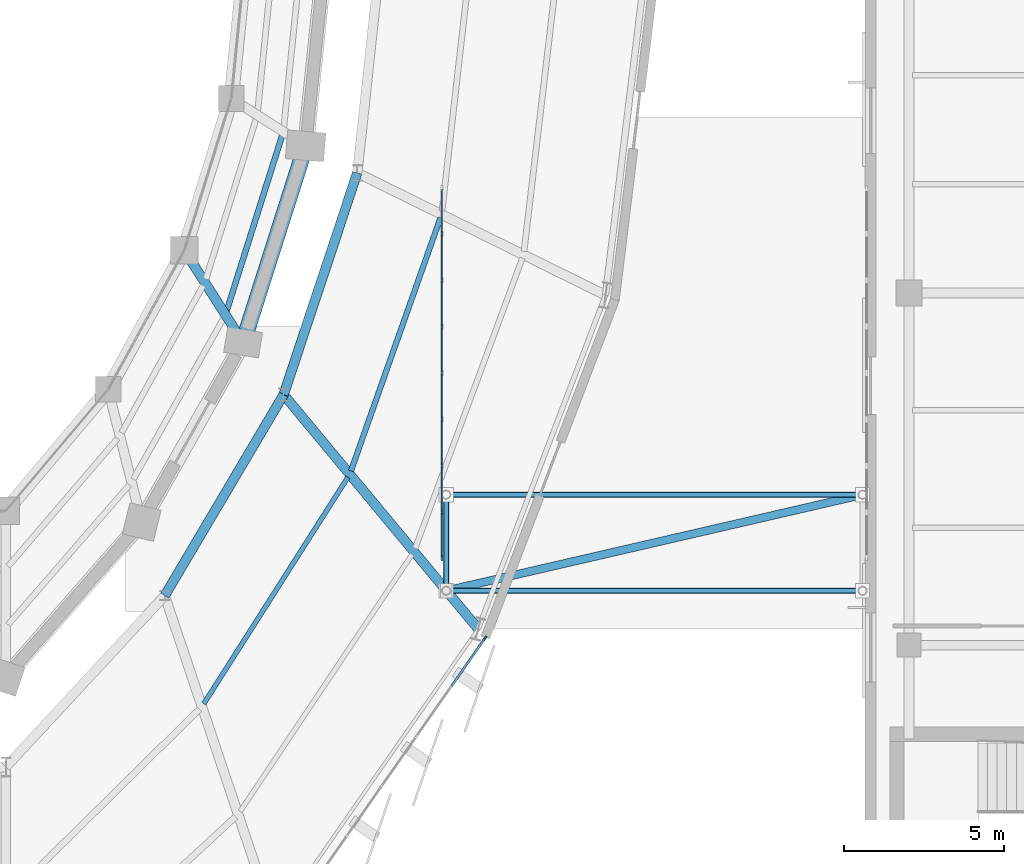
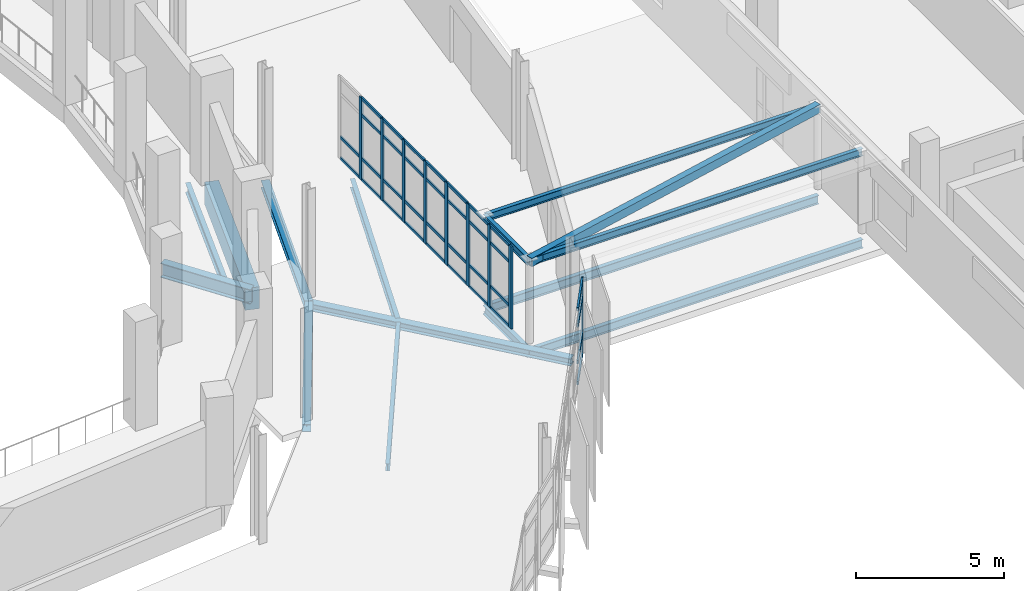
# One storey, part 68 of 125: 44 members, 14 beams, 2 elements without a shape of their own.
"""IFC4 building model written with IfcOpenShell, lengths in metres."""

from ifc_helpers import new_model, si_unit, direction, frame, origin, origin_2d, place, context, subcontext, project, spatial, rectangle, hollow_rectangle, i_section, extrude, material, layer, layer_set, material_profile, profile_set, type_object, element, aggregate, save


model = new_model("IFC4")

# Units and contexts
model_context = context("Model", 3, precision=1e-05, world=origin(), true_north=direction((0.0, 1.0)))
body_context = subcontext(model_context, "Body", "Model", "MODEL_VIEW")
ifc_project = project(units=[si_unit("LENGTHUNIT", "METRE"), si_unit("AREAUNIT", "SQUARE_METRE"), si_unit("VOLUMEUNIT", "CUBIC_METRE"), si_unit("PLANEANGLEUNIT", "RADIAN"), si_unit("MASSUNIT", "GRAM", prefix="KILO")], contexts=[model_context])

# Site, building, storey
site_placement = place(None, origin())
site = spatial("IfcSite", under=ifc_project, at=site_placement, CompositionType="ELEMENT")
building_placement = place(site_placement, origin())
building = spatial("IfcBuilding", under=site, at=building_placement, Name="Sohan Crest Arena", CompositionType="ELEMENT")
storey_placement = place(building_placement, frame((0.0, 0.0, 9.0)))
storey = spatial("IfcBuildingStorey", under=building, at=storey_placement, Name="L02", CompositionType="ELEMENT", Elevation=9.0)

# Curtain wall, member
ifc_material_1 = material(Name="Thermally broken anodised aluminium", Category="aluminium")
ifc_layer_1 = layer(ifc_material_1, 0.219970703125, Name="Thermally broken anodised aluminium")
ifc_layer_set_1 = layer_set([ifc_layer_1], Name="Thermally broken anodised aluminium")
curtain_wall_type_1 = type_object("IfcCurtainWallType", Name="ARC-CW03", PredefinedType="NOTDEFINED", material=ifc_layer_set_1)
curtain_wall_1_placement = place(storey_placement, origin())
curtain_wall_1 = element("IfcCurtainWall", 1, at=curtain_wall_1_placement, inside=storey, type_object=curtain_wall_type_1, Name="Unitised curtain wall CW-068", PredefinedType="NOTDEFINED")
ifc_material_profile_1 = material_profile(ifc_material_1, rectangle(XDim=0.06005859375, YDim=0.159912109375, at=origin_2d()), Name="ALU-MULL 60x160")
ifc_profile_set_1 = profile_set([ifc_material_profile_1], Name="Thermally broken anodised aluminium")
member_type_1 = type_object("IfcMemberType", Name="ARC-CW-ML01", PredefinedType="MULLION", material=ifc_profile_set_1)
member_1_placement = place(storey_placement, frame((182.958740234375, 56.21435546875, 0.0), z_axis=(0.0, 0.0, 1.0), x_axis=(-0.819954947639, 0.572428059971, 0.0)))
member_1 = element("IfcMember", 2, at=member_1_placement, type_object=member_type_1, Name="CW-068 mullion 7", PredefinedType="MULLION", context=body_context, shape_type="SweptSolid", body=[
    extrude(rectangle(XDim=0.06005859375, YDim=0.159912109375, at=origin_2d()), origin(), (0.0, 0.0, 1.0), 3.1201171875),
])

# Curtain wall, members
ifc_layer_2 = layer(ifc_material_1, 0.18994140625, Name="Thermally broken anodised aluminium")
ifc_layer_set_2 = layer_set([ifc_layer_2], Name="Thermally broken anodised aluminium")
curtain_wall_type_2 = type_object("IfcCurtainWallType", Name="ARC-CW05", PredefinedType="NOTDEFINED", material=ifc_layer_set_2)
curtain_wall_2_placement = place(storey_placement, origin())
curtain_wall_2 = element("IfcCurtainWall", 3, at=curtain_wall_2_placement, inside=storey, type_object=curtain_wall_type_2, Name="Unitised curtain wall CW-243", PredefinedType="NOTDEFINED")
ifc_material_profile_2 = material_profile(ifc_material_1, rectangle(XDim=0.06494140625, YDim=0.179931640625, at=origin_2d()), Name="ALU-MULL 65x180")
ifc_profile_set_2 = profile_set([ifc_material_profile_2], Name="Thermally broken anodised aluminium")
member_type_2 = type_object("IfcMemberType", Name="ARC-CW-ML02", PredefinedType="MULLION", material=ifc_profile_set_2)
member_2_placement = place(storey_placement, frame((181.6201171875, 58.732421875, 0.0), z_axis=(0.0, 0.0, 1.0), x_axis=(-1.0, 0.0, 0.0)))
member_2 = element("IfcMember", 4, at=member_2_placement, type_object=member_type_2, Name="CW-243 mullion 1", PredefinedType="MULLION", context=body_context, shape_type="SweptSolid", body=[
    extrude(rectangle(XDim=0.06494140625, YDim=0.179931640625, at=origin_2d()), origin(), (0.0, 0.0, 1.0), 3.39990234375),
])
member_3_placement = place(storey_placement, frame((181.6201171875, 60.14990234375, 0.0), z_axis=(0.0, 0.0, 1.0), x_axis=(-1.0, 0.0, 0.0)))
member_3 = element("IfcMember", 5, at=member_3_placement, type_object=member_type_2, Name="CW-243 mullion 2", PredefinedType="MULLION", context=body_context, shape_type="SweptSolid", body=[
    extrude(rectangle(XDim=0.06494140625, YDim=0.179931640625, at=origin_2d()), origin(), (0.0, 0.0, 1.0), 3.39990234375),
])
member_4_placement = place(storey_placement, frame((181.6201171875, 61.60009765625, 0.0), z_axis=(0.0, 0.0, 1.0), x_axis=(-1.0, 0.0, 0.0)))
member_4 = element("IfcMember", 6, at=member_4_placement, type_object=member_type_2, Name="CW-243 mullion 3", PredefinedType="MULLION", context=body_context, shape_type="SweptSolid", body=[
    extrude(rectangle(XDim=0.06494140625, YDim=0.179931640625, at=origin_2d()), origin(), (0.0, 0.0, 1.0), 3.39990234375),
])
member_5_placement = place(storey_placement, frame((181.6201171875, 63.050048828125, 0.0), z_axis=(0.0, 0.0, 1.0), x_axis=(-1.0, 0.0, 0.0)))
member_5 = element("IfcMember", 7, at=member_5_placement, type_object=member_type_2, Name="CW-243 mullion 4", PredefinedType="MULLION", context=body_context, shape_type="SweptSolid", body=[
    extrude(rectangle(XDim=0.06494140625, YDim=0.179931640625, at=origin_2d()), origin(), (0.0, 0.0, 1.0), 3.39990234375),
])
member_6_placement = place(storey_placement, frame((181.6201171875, 64.5, 0.0), z_axis=(0.0, 0.0, 1.0), x_axis=(-1.0, 0.0, 0.0)))
member_6 = element("IfcMember", 8, at=member_6_placement, type_object=member_type_2, Name="CW-243 mullion 5", PredefinedType="MULLION", context=body_context, shape_type="SweptSolid", body=[
    extrude(rectangle(XDim=0.06494140625, YDim=0.179931640625, at=origin_2d()), origin(), (0.0, 0.0, 1.0), 3.39990234375),
])
member_7_placement = place(storey_placement, frame((181.6201171875, 65.949951171875, 0.0), z_axis=(0.0, 0.0, 1.0), x_axis=(-1.0, 0.0, 0.0)))
member_7 = element("IfcMember", 9, at=member_7_placement, type_object=member_type_2, Name="CW-243 mullion 6", PredefinedType="MULLION", context=body_context, shape_type="SweptSolid", body=[
    extrude(rectangle(XDim=0.06494140625, YDim=0.179931640625, at=origin_2d()), origin(), (0.0, 0.0, 1.0), 3.39990234375),
])
member_8_placement = place(storey_placement, frame((181.6201171875, 67.39990234375, 0.0), z_axis=(0.0, 0.0, 1.0), x_axis=(-1.0, 0.0, 0.0)))
member_8 = element("IfcMember", 10, at=member_8_placement, type_object=member_type_2, Name="CW-243 mullion 7", PredefinedType="MULLION", context=body_context, shape_type="SweptSolid", body=[
    extrude(rectangle(XDim=0.06494140625, YDim=0.179931640625, at=origin_2d()), origin(), (0.0, 0.0, 1.0), 3.39990234375),
])
member_9_placement = place(storey_placement, frame((181.6201171875, 68.85009765625, 0.0), z_axis=(0.0, 0.0, 1.0), x_axis=(-1.0, 0.0, 0.0)))
member_9 = element("IfcMember", 11, at=member_9_placement, type_object=member_type_2, Name="CW-243 mullion 8", PredefinedType="MULLION", context=body_context, shape_type="SweptSolid", body=[
    extrude(rectangle(XDim=0.06494140625, YDim=0.179931640625, at=origin_2d()), origin(), (0.0, 0.0, 1.0), 3.39990234375),
])
ifc_material_profile_3 = material_profile(ifc_material_1, rectangle(XDim=0.06005859375, YDim=0.1201171875, at=origin_2d()), Name="ALU-TRAN 60x120")
ifc_profile_set_3 = profile_set([ifc_material_profile_3], Name="Thermally broken anodised aluminium")
member_type_3 = type_object("IfcMemberType", Name="ARC-CW-TR01", PredefinedType="USERDEFINED", material=ifc_profile_set_3)
member_10_placement = place(storey_placement, frame((181.6201171875, 58.764892578125, 0.030029296875), z_axis=(0.0, 1.0, 0.0), x_axis=(-1.0, 0.0, 0.0)))
member_10 = element("IfcMember", 12, at=member_10_placement, type_object=member_type_3, Name="CW-243 transom 1.1", ObjectType="TRANSOM", PredefinedType="USERDEFINED", context=body_context, shape_type="SweptSolid", body=[
    extrude(rectangle(XDim=0.06005859375, YDim=0.1201171875, at=origin_2d()), origin(), (0.0, 0.0, 1.0), 1.3525390625),
])
member_11_placement = place(storey_placement, frame((181.6201171875, 58.764892578125, 0.89990234375), z_axis=(0.0, 1.0, 0.0), x_axis=(-1.0, 0.0, 0.0)))
member_11 = element("IfcMember", 13, at=member_11_placement, type_object=member_type_3, Name="CW-243 transom 1.2", ObjectType="TRANSOM", PredefinedType="USERDEFINED", context=body_context, shape_type="SweptSolid", body=[
    extrude(rectangle(XDim=0.06005859375, YDim=0.1201171875, at=origin_2d()), origin(), (0.0, 0.0, 1.0), 1.3525390625),
])
member_12_placement = place(storey_placement, frame((181.6201171875, 58.764892578125, 2.699951171875), z_axis=(0.0, 1.0, 0.0), x_axis=(-1.0, 0.0, 0.0)))
member_12 = element("IfcMember", 14, at=member_12_placement, type_object=member_type_3, Name="CW-243 transom 1.3", ObjectType="TRANSOM", PredefinedType="USERDEFINED", context=body_context, shape_type="SweptSolid", body=[
    extrude(rectangle(XDim=0.06005859375, YDim=0.1201171875, at=origin_2d()), origin(), (0.0, 0.0, 1.0), 1.3525390625),
])
member_13_placement = place(storey_placement, frame((181.6201171875, 58.764892578125, 3.3701171875), z_axis=(0.0, 1.0, 0.0), x_axis=(-1.0, 0.0, 0.0)))
member_13 = element("IfcMember", 15, at=member_13_placement, type_object=member_type_3, Name="CW-243 transom 1.4", ObjectType="TRANSOM", PredefinedType="USERDEFINED", context=body_context, shape_type="SweptSolid", body=[
    extrude(rectangle(XDim=0.06005859375, YDim=0.1201171875, at=origin_2d()), origin(), (0.0, 0.0, 1.0), 1.3525390625),
])
member_14_placement = place(storey_placement, frame((181.6201171875, 60.1826171875, 0.030029296875), z_axis=(0.0, 1.0, 0.0), x_axis=(-1.0, 0.0, 0.0)))
member_14 = element("IfcMember", 16, at=member_14_placement, type_object=member_type_3, Name="CW-243 transom 2.1", ObjectType="TRANSOM", PredefinedType="USERDEFINED", context=body_context, shape_type="SweptSolid", body=[
    extrude(rectangle(XDim=0.06005859375, YDim=0.1201171875, at=origin_2d()), origin(), (0.0, 0.0, 1.0), 1.384765625),
])
member_15_placement = place(storey_placement, frame((181.6201171875, 60.1826171875, 0.89990234375), z_axis=(0.0, 1.0, 0.0), x_axis=(-1.0, 0.0, 0.0)))
member_15 = element("IfcMember", 17, at=member_15_placement, type_object=member_type_3, Name="CW-243 transom 2.2", ObjectType="TRANSOM", PredefinedType="USERDEFINED", context=body_context, shape_type="SweptSolid", body=[
    extrude(rectangle(XDim=0.06005859375, YDim=0.1201171875, at=origin_2d()), origin(), (0.0, 0.0, 1.0), 1.384765625),
])
member_16_placement = place(storey_placement, frame((181.6201171875, 60.1826171875, 2.699951171875), z_axis=(0.0, 1.0, 0.0), x_axis=(-1.0, 0.0, 0.0)))
member_16 = element("IfcMember", 18, at=member_16_placement, type_object=member_type_3, Name="CW-243 transom 2.3", ObjectType="TRANSOM", PredefinedType="USERDEFINED", context=body_context, shape_type="SweptSolid", body=[
    extrude(rectangle(XDim=0.06005859375, YDim=0.1201171875, at=origin_2d()), origin(), (0.0, 0.0, 1.0), 1.384765625),
])
member_17_placement = place(storey_placement, frame((181.6201171875, 60.1826171875, 3.3701171875), z_axis=(0.0, 1.0, 0.0), x_axis=(-1.0, 0.0, 0.0)))
member_17 = element("IfcMember", 19, at=member_17_placement, type_object=member_type_3, Name="CW-243 transom 2.4", ObjectType="TRANSOM", PredefinedType="USERDEFINED", context=body_context, shape_type="SweptSolid", body=[
    extrude(rectangle(XDim=0.06005859375, YDim=0.1201171875, at=origin_2d()), origin(), (0.0, 0.0, 1.0), 1.384765625),
])
member_18_placement = place(storey_placement, frame((181.6201171875, 61.632568359375, 0.030029296875), z_axis=(0.0, 1.0, 0.0), x_axis=(-1.0, 0.0, 0.0)))
member_18 = element("IfcMember", 20, at=member_18_placement, type_object=member_type_3, Name="CW-243 transom 3.1", ObjectType="TRANSOM", PredefinedType="USERDEFINED", context=body_context, shape_type="SweptSolid", body=[
    extrude(rectangle(XDim=0.06005859375, YDim=0.1201171875, at=origin_2d()), origin(), (0.0, 0.0, 1.0), 1.385009765625),
])
member_19_placement = place(storey_placement, frame((181.6201171875, 61.632568359375, 0.89990234375), z_axis=(0.0, 1.0, 0.0), x_axis=(-1.0, 0.0, 0.0)))
member_19 = element("IfcMember", 21, at=member_19_placement, type_object=member_type_3, Name="CW-243 transom 3.2", ObjectType="TRANSOM", PredefinedType="USERDEFINED", context=body_context, shape_type="SweptSolid", body=[
    extrude(rectangle(XDim=0.06005859375, YDim=0.1201171875, at=origin_2d()), origin(), (0.0, 0.0, 1.0), 1.385009765625),
])
member_20_placement = place(storey_placement, frame((181.6201171875, 61.632568359375, 2.699951171875), z_axis=(0.0, 1.0, 0.0), x_axis=(-1.0, 0.0, 0.0)))
member_20 = element("IfcMember", 22, at=member_20_placement, type_object=member_type_3, Name="CW-243 transom 3.3", ObjectType="TRANSOM", PredefinedType="USERDEFINED", context=body_context, shape_type="SweptSolid", body=[
    extrude(rectangle(XDim=0.06005859375, YDim=0.1201171875, at=origin_2d()), origin(), (0.0, 0.0, 1.0), 1.385009765625),
])
member_21_placement = place(storey_placement, frame((181.6201171875, 61.632568359375, 3.3701171875), z_axis=(0.0, 1.0, 0.0), x_axis=(-1.0, 0.0, 0.0)))
member_21 = element("IfcMember", 23, at=member_21_placement, type_object=member_type_3, Name="CW-243 transom 3.4", ObjectType="TRANSOM", PredefinedType="USERDEFINED", context=body_context, shape_type="SweptSolid", body=[
    extrude(rectangle(XDim=0.06005859375, YDim=0.1201171875, at=origin_2d()), origin(), (0.0, 0.0, 1.0), 1.385009765625),
])
member_22_placement = place(storey_placement, frame((181.6201171875, 63.08251953125, 0.030029296875), z_axis=(0.0, 1.0, 0.0), x_axis=(-1.0, 0.0, 0.0)))
member_22 = element("IfcMember", 24, at=member_22_placement, type_object=member_type_3, Name="CW-243 transom 4.1", ObjectType="TRANSOM", PredefinedType="USERDEFINED", context=body_context, shape_type="SweptSolid", body=[
    extrude(rectangle(XDim=0.06005859375, YDim=0.1201171875, at=origin_2d()), origin(), (0.0, 0.0, 1.0), 1.385009765625),
])
member_23_placement = place(storey_placement, frame((181.6201171875, 63.08251953125, 0.89990234375), z_axis=(0.0, 1.0, 0.0), x_axis=(-1.0, 0.0, 0.0)))
member_23 = element("IfcMember", 25, at=member_23_placement, type_object=member_type_3, Name="CW-243 transom 4.2", ObjectType="TRANSOM", PredefinedType="USERDEFINED", context=body_context, shape_type="SweptSolid", body=[
    extrude(rectangle(XDim=0.06005859375, YDim=0.1201171875, at=origin_2d()), origin(), (0.0, 0.0, 1.0), 1.385009765625),
])
member_24_placement = place(storey_placement, frame((181.6201171875, 63.08251953125, 2.699951171875), z_axis=(0.0, 1.0, 0.0), x_axis=(-1.0, 0.0, 0.0)))
member_24 = element("IfcMember", 26, at=member_24_placement, type_object=member_type_3, Name="CW-243 transom 4.3", ObjectType="TRANSOM", PredefinedType="USERDEFINED", context=body_context, shape_type="SweptSolid", body=[
    extrude(rectangle(XDim=0.06005859375, YDim=0.1201171875, at=origin_2d()), origin(), (0.0, 0.0, 1.0), 1.385009765625),
])
member_25_placement = place(storey_placement, frame((181.6201171875, 63.08251953125, 3.3701171875), z_axis=(0.0, 1.0, 0.0), x_axis=(-1.0, 0.0, 0.0)))
member_25 = element("IfcMember", 27, at=member_25_placement, type_object=member_type_3, Name="CW-243 transom 4.4", ObjectType="TRANSOM", PredefinedType="USERDEFINED", context=body_context, shape_type="SweptSolid", body=[
    extrude(rectangle(XDim=0.06005859375, YDim=0.1201171875, at=origin_2d()), origin(), (0.0, 0.0, 1.0), 1.385009765625),
])
member_26_placement = place(storey_placement, frame((181.6201171875, 64.532470703125, 0.030029296875), z_axis=(0.0, 1.0, 0.0), x_axis=(-1.0, 0.0, 0.0)))
member_26 = element("IfcMember", 28, at=member_26_placement, type_object=member_type_3, Name="CW-243 transom 5.1", ObjectType="TRANSOM", PredefinedType="USERDEFINED", context=body_context, shape_type="SweptSolid", body=[
    extrude(rectangle(XDim=0.06005859375, YDim=0.1201171875, at=origin_2d()), origin(), (0.0, 0.0, 1.0), 1.385009765625),
])
member_27_placement = place(storey_placement, frame((181.6201171875, 64.532470703125, 0.89990234375), z_axis=(0.0, 1.0, 0.0), x_axis=(-1.0, 0.0, 0.0)))
member_27 = element("IfcMember", 29, at=member_27_placement, type_object=member_type_3, Name="CW-243 transom 5.2", ObjectType="TRANSOM", PredefinedType="USERDEFINED", context=body_context, shape_type="SweptSolid", body=[
    extrude(rectangle(XDim=0.06005859375, YDim=0.1201171875, at=origin_2d()), origin(), (0.0, 0.0, 1.0), 1.385009765625),
])
member_28_placement = place(storey_placement, frame((181.6201171875, 64.532470703125, 2.699951171875), z_axis=(0.0, 1.0, 0.0), x_axis=(-1.0, 0.0, 0.0)))
member_28 = element("IfcMember", 30, at=member_28_placement, type_object=member_type_3, Name="CW-243 transom 5.3", ObjectType="TRANSOM", PredefinedType="USERDEFINED", context=body_context, shape_type="SweptSolid", body=[
    extrude(rectangle(XDim=0.06005859375, YDim=0.1201171875, at=origin_2d()), origin(), (0.0, 0.0, 1.0), 1.385009765625),
])
member_29_placement = place(storey_placement, frame((181.6201171875, 64.532470703125, 3.3701171875), z_axis=(0.0, 1.0, 0.0), x_axis=(-1.0, 0.0, 0.0)))
member_29 = element("IfcMember", 31, at=member_29_placement, type_object=member_type_3, Name="CW-243 transom 5.4", ObjectType="TRANSOM", PredefinedType="USERDEFINED", context=body_context, shape_type="SweptSolid", body=[
    extrude(rectangle(XDim=0.06005859375, YDim=0.1201171875, at=origin_2d()), origin(), (0.0, 0.0, 1.0), 1.385009765625),
])
member_30_placement = place(storey_placement, frame((181.6201171875, 65.982421875, 0.030029296875), z_axis=(0.0, 1.0, 0.0), x_axis=(-1.0, 0.0, 0.0)))
member_30 = element("IfcMember", 32, at=member_30_placement, type_object=member_type_3, Name="CW-243 transom 6.1", ObjectType="TRANSOM", PredefinedType="USERDEFINED", context=body_context, shape_type="SweptSolid", body=[
    extrude(rectangle(XDim=0.06005859375, YDim=0.1201171875, at=origin_2d()), origin(), (0.0, 0.0, 1.0), 1.385009765625),
])
member_31_placement = place(storey_placement, frame((181.6201171875, 65.982421875, 0.89990234375), z_axis=(0.0, 1.0, 0.0), x_axis=(-1.0, 0.0, 0.0)))
member_31 = element("IfcMember", 33, at=member_31_placement, type_object=member_type_3, Name="CW-243 transom 6.2", ObjectType="TRANSOM", PredefinedType="USERDEFINED", context=body_context, shape_type="SweptSolid", body=[
    extrude(rectangle(XDim=0.06005859375, YDim=0.1201171875, at=origin_2d()), origin(), (0.0, 0.0, 1.0), 1.385009765625),
])
member_32_placement = place(storey_placement, frame((181.6201171875, 65.982421875, 2.699951171875), z_axis=(0.0, 1.0, 0.0), x_axis=(-1.0, 0.0, 0.0)))
member_32 = element("IfcMember", 34, at=member_32_placement, type_object=member_type_3, Name="CW-243 transom 6.3", ObjectType="TRANSOM", PredefinedType="USERDEFINED", context=body_context, shape_type="SweptSolid", body=[
    extrude(rectangle(XDim=0.06005859375, YDim=0.1201171875, at=origin_2d()), origin(), (0.0, 0.0, 1.0), 1.385009765625),
])
member_33_placement = place(storey_placement, frame((181.6201171875, 65.982421875, 3.3701171875), z_axis=(0.0, 1.0, 0.0), x_axis=(-1.0, 0.0, 0.0)))
member_33 = element("IfcMember", 35, at=member_33_placement, type_object=member_type_3, Name="CW-243 transom 6.4", ObjectType="TRANSOM", PredefinedType="USERDEFINED", context=body_context, shape_type="SweptSolid", body=[
    extrude(rectangle(XDim=0.06005859375, YDim=0.1201171875, at=origin_2d()), origin(), (0.0, 0.0, 1.0), 1.385009765625),
])
member_34_placement = place(storey_placement, frame((181.6201171875, 67.4326171875, 0.030029296875), z_axis=(0.0, 1.0, 0.0), x_axis=(-1.0, 0.0, 0.0)))
member_34 = element("IfcMember", 36, at=member_34_placement, type_object=member_type_3, Name="CW-243 transom 7.1", ObjectType="TRANSOM", PredefinedType="USERDEFINED", context=body_context, shape_type="SweptSolid", body=[
    extrude(rectangle(XDim=0.06005859375, YDim=0.1201171875, at=origin_2d()), origin(), (0.0, 0.0, 1.0), 1.384765625),
])
member_35_placement = place(storey_placement, frame((181.6201171875, 67.4326171875, 0.89990234375), z_axis=(0.0, 1.0, 0.0), x_axis=(-1.0, 0.0, 0.0)))
member_35 = element("IfcMember", 37, at=member_35_placement, type_object=member_type_3, Name="CW-243 transom 7.2", ObjectType="TRANSOM", PredefinedType="USERDEFINED", context=body_context, shape_type="SweptSolid", body=[
    extrude(rectangle(XDim=0.06005859375, YDim=0.1201171875, at=origin_2d()), origin(), (0.0, 0.0, 1.0), 1.384765625),
])
member_36_placement = place(storey_placement, frame((181.6201171875, 67.4326171875, 2.699951171875), z_axis=(0.0, 1.0, 0.0), x_axis=(-1.0, 0.0, 0.0)))
member_36 = element("IfcMember", 38, at=member_36_placement, type_object=member_type_3, Name="CW-243 transom 7.3", ObjectType="TRANSOM", PredefinedType="USERDEFINED", context=body_context, shape_type="SweptSolid", body=[
    extrude(rectangle(XDim=0.06005859375, YDim=0.1201171875, at=origin_2d()), origin(), (0.0, 0.0, 1.0), 1.384765625),
])
member_37_placement = place(storey_placement, frame((181.6201171875, 67.4326171875, 3.3701171875), z_axis=(0.0, 1.0, 0.0), x_axis=(-1.0, 0.0, 0.0)))
member_37 = element("IfcMember", 39, at=member_37_placement, type_object=member_type_3, Name="CW-243 transom 7.4", ObjectType="TRANSOM", PredefinedType="USERDEFINED", context=body_context, shape_type="SweptSolid", body=[
    extrude(rectangle(XDim=0.06005859375, YDim=0.1201171875, at=origin_2d()), origin(), (0.0, 0.0, 1.0), 1.384765625),
])
member_38_placement = place(storey_placement, frame((181.6201171875, 68.882568359375, 0.030029296875), z_axis=(0.0, 1.0, 0.0), x_axis=(-1.0, 0.0, 0.0)))
member_38 = element("IfcMember", 40, at=member_38_placement, type_object=member_type_3, Name="CW-243 transom 8.1", ObjectType="TRANSOM", PredefinedType="USERDEFINED", context=body_context, shape_type="SweptSolid", body=[
    extrude(rectangle(XDim=0.06005859375, YDim=0.1201171875, at=origin_2d()), origin(), (0.0, 0.0, 1.0), 1.3525390625),
])
member_39_placement = place(storey_placement, frame((181.6201171875, 68.882568359375, 0.89990234375), z_axis=(0.0, 1.0, 0.0), x_axis=(-1.0, 0.0, 0.0)))
member_39 = element("IfcMember", 41, at=member_39_placement, type_object=member_type_3, Name="CW-243 transom 8.2", ObjectType="TRANSOM", PredefinedType="USERDEFINED", context=body_context, shape_type="SweptSolid", body=[
    extrude(rectangle(XDim=0.06005859375, YDim=0.1201171875, at=origin_2d()), origin(), (0.0, 0.0, 1.0), 1.3525390625),
])
aggregate(curtain_wall_2, [member_2, member_3, member_4, member_5, member_6, member_7, member_8, member_9, member_10, member_11, member_12, member_13, member_14, member_15, member_16, member_17, member_18, member_19, member_20, member_21, member_22, member_23, member_24, member_25, member_26, member_27, member_28, member_29, member_30, member_31, member_32, member_33, member_34, member_35, member_36, member_37, member_38, member_39])

# Member
ifc_material_profile_4 = material_profile(ifc_material_1, rectangle(XDim=0.070068359375, YDim=0.14990234375, at=origin_2d()), Name="ALU-TRAN 70x150")
ifc_profile_set_4 = profile_set([ifc_material_profile_4], Name="Thermally broken anodised aluminium")
member_type_4 = type_object("IfcMemberType", Name="ARC-CW-TR03", PredefinedType="USERDEFINED", material=ifc_profile_set_4)
member_40_placement = place(storey_placement, frame((181.91552734375, 54.719970703125, 0.034912109375), z_axis=(0.572456395358, 0.819935165372, 0.0), x_axis=(-0.819935165372, 0.572456395358, 0.0)))
member_40 = element("IfcMember", 42, at=member_40_placement, type_object=member_type_4, Name="CW-068 transom 6.1", ObjectType="TRANSOM", PredefinedType="USERDEFINED", context=body_context, shape_type="SweptSolid", body=[
    extrude(rectangle(XDim=0.070068359375, YDim=0.14990234375, at=origin_2d()), origin(), (0.0, 0.0, 1.0), 1.79248046875),
])

member_41_placement = place(storey_placement, frame((181.91552734375, 54.719970703125, 0.89990234375), z_axis=(0.572456395358, 0.819935165372, 0.0), x_axis=(-0.819935165372, 0.572456395358, 0.0)))
member_41 = element("IfcMember", 43, at=member_41_placement, type_object=member_type_4, Name="CW-068 transom 6.2", ObjectType="TRANSOM", PredefinedType="USERDEFINED", context=body_context, shape_type="SweptSolid", body=[
    extrude(rectangle(XDim=0.070068359375, YDim=0.14990234375, at=origin_2d()), origin(), (0.0, 0.0, 1.0), 1.79248046875),
])

member_42_placement = place(storey_placement, frame((181.91552734375, 54.719970703125, 2.419921875), z_axis=(0.572456395358, 0.819935165372, 0.0), x_axis=(-0.819935165372, 0.572456395358, 0.0)))
member_42 = element("IfcMember", 44, at=member_42_placement, type_object=member_type_4, Name="CW-068 transom 6.3", ObjectType="TRANSOM", PredefinedType="USERDEFINED", context=body_context, shape_type="SweptSolid", body=[
    extrude(rectangle(XDim=0.070068359375, YDim=0.14990234375, at=origin_2d()), origin(), (0.0, 0.0, 1.0), 1.79248046875),
])

member_43_placement = place(storey_placement, frame((181.91552734375, 54.719970703125, 3.0849609375), z_axis=(0.572456395358, 0.819935165372, 0.0), x_axis=(-0.819935165372, 0.572456395358, 0.0)))
member_43 = element("IfcMember", 45, at=member_43_placement, type_object=member_type_4, Name="CW-068 transom 6.4", ObjectType="TRANSOM", PredefinedType="USERDEFINED", context=body_context, shape_type="SweptSolid", body=[
    extrude(rectangle(XDim=0.070068359375, YDim=0.14990234375, at=origin_2d()), origin(), (0.0, 0.0, 1.0), 1.79248046875),
])

aggregate(curtain_wall_1, [member_1, member_40, member_41, member_42, member_43])

# Beams
ifc_material_2 = material(Name="Steel S355", Category="steel")
ifc_material_profile_5 = material_profile(ifc_material_2, i_section(OverallWidth=0.14990234375, OverallDepth=0.300048828125, WebThickness=0.007080078125, FlangeThickness=0.0107421875, at=origin_2d()), Name="IPE 300")
ifc_profile_set_5 = profile_set([ifc_material_profile_5], Name="Steel S355")
beam_type_1 = type_object("IfcBeamType", Name="STR-BM-B01", PredefinedType="JOIST", material=ifc_profile_set_5)
beam_1_placement = place(storey_placement, frame((174.18310546875, 54.175048828125, -0.39990234375), z_axis=(0.536679400997, 0.843786241027, 0.0), x_axis=(-0.843786241027, 0.536679400997, 0.0)))
element("IfcBeam", 46, at=beam_1_placement, inside=storey, type_object=beam_type_1, Name="Structural beam J-L02-1334", PredefinedType="JOIST", context=body_context, shape_type="SweptSolid", body=[
    extrude(i_section(OverallWidth=0.14990234375, OverallDepth=0.300048828125, WebThickness=0.007080078125, FlangeThickness=0.0107421875, at=origin_2d()), origin(), (0.0, 0.0, 1.0), 8.37890625),
])
beam_2_placement = place(storey_placement, frame((181.75, 57.699951171875, 3.324951171875), z_axis=(0.0, 1.0, 0.0), x_axis=(-1.0, 0.0, 0.0)))
element("IfcBeam", 47, at=beam_2_placement, inside=storey, type_object=beam_type_1, Name="Structural beam BRG-L02-2972", PredefinedType="JOIST", context=body_context, shape_type="SweptSolid", body=[
    extrude(i_section(OverallWidth=0.14990234375, OverallDepth=0.300048828125, WebThickness=0.007080078125, FlangeThickness=0.0107421875, at=origin_2d()), origin(), (0.0, 0.0, 1.0), 3.0),
])
for number, where, z_axis, x_axis, name in (
    (48, (181.75, 57.699951171875, 3.324951171875), (1.0, 0.0, 0.0), (0.0, 1.0, 0.0), "Structural beam BRG-L02-2974"),
    (49, (181.75, 60.699951171875, 3.324951171875), (1.0, 0.0, 0.0), (0.0, 1.0, 0.0), "Structural beam BRG-L02-2975"),
):
    element("IfcBeam", number, at=place(storey_placement, frame(where, z_axis=z_axis, x_axis=x_axis)), inside=storey, type_object=beam_type_1, Name=name, PredefinedType="JOIST", context=body_context, shape_type="SweptSolid", body=[
        extrude(i_section(OverallWidth=0.14990234375, OverallDepth=0.300048828125, WebThickness=0.007080078125, FlangeThickness=0.0107421875, at=origin_2d()), origin(), (0.0, 0.0, 1.0), 13.0),
    ])
ifc_material_profile_6 = material_profile(ifc_material_2, i_section(OverallWidth=0.169921875, OverallDepth=0.360107421875, WebThickness=0.008056640625, FlangeThickness=0.0126953125, at=origin_2d()), Name="IPE 360")
ifc_profile_set_6 = profile_set([ifc_material_profile_6], Name="Steel S355")
beam_type_2 = type_object("IfcBeamType", Name="STR-BM-B02", PredefinedType="JOIST", material=ifc_profile_set_6)
beam_3_placement = place(storey_placement, frame((178.77587890625, 61.44189453125, -0.429931640625), z_axis=(0.333403454645, 0.942784247021, 0.0), x_axis=(-0.942784247021, 0.333403454645, 0.0)))
element("IfcBeam", 50, at=beam_3_placement, inside=storey, type_object=beam_type_2, Name="Structural beam J-L02-1339", PredefinedType="JOIST", context=body_context, shape_type="SweptSolid", body=[
    extrude(i_section(OverallWidth=0.169921875, OverallDepth=0.360107421875, WebThickness=0.008056640625, FlangeThickness=0.0126953125, at=origin_2d()), origin(), (0.0, 0.0, 1.0), 8.3837890625),
])
beam_4_placement = place(storey_placement, frame((181.75, 57.699951171875, -0.455078125), z_axis=(0.0, 1.0, 0.0), x_axis=(-1.0, 0.0, 0.0)))
element("IfcBeam", 51, at=beam_4_placement, inside=storey, type_object=beam_type_2, Name="Structural beam BG-L02-2968", PredefinedType="JOIST", context=body_context, shape_type="SweptSolid", body=[
    extrude(i_section(OverallWidth=0.169921875, OverallDepth=0.360107421875, WebThickness=0.008056640625, FlangeThickness=0.0126953125, at=origin_2d()), origin(), (0.0, 0.0, 1.0), 3.0),
])
for number, where, z_axis, x_axis, name in (
    (52, (181.75, 57.699951171875, -0.455078125), (1.0, 0.0, 0.0), (0.0, 1.0, 0.0), "Structural beam BG-L02-2970"),
    (53, (181.75, 60.699951171875, -0.455078125), (1.0, 0.0, 0.0), (0.0, 1.0, 0.0), "Structural beam BG-L02-2971"),
):
    element("IfcBeam", number, at=place(storey_placement, frame(where, z_axis=z_axis, x_axis=x_axis)), inside=storey, type_object=beam_type_2, Name=name, PredefinedType="JOIST", context=body_context, shape_type="SweptSolid", body=[
        extrude(i_section(OverallWidth=0.169921875, OverallDepth=0.360107421875, WebThickness=0.008056640625, FlangeThickness=0.0126953125, at=origin_2d()), origin(), (0.0, 0.0, 1.0), 13.0),
    ])
ifc_material_profile_7 = material_profile(ifc_material_2, i_section(OverallWidth=0.179931640625, OverallDepth=0.39990234375, WebThickness=0.008544921875, FlangeThickness=0.013427734375, at=origin_2d()), Name="IPE 400")
ifc_profile_set_7 = profile_set([ifc_material_profile_7], Name="Steel S355")
beam_type_3 = type_object("IfcBeamType", Name="STR-BM-B03", PredefinedType="JOIST", material=ifc_profile_set_7)
beam_5_placement = place(storey_placement, frame((174.89111328125, 66.424072265625, -0.449951171875), z_axis=(0.301440884565, 0.953484867794, 0.0), x_axis=(-0.953484867794, 0.301440884565, 0.0)))
element("IfcBeam", 54, at=beam_5_placement, inside=storey, type_object=beam_type_3, Name="Structural beam J-L02-0536", PredefinedType="JOIST", context=body_context, shape_type="SweptSolid", body=[
    extrude(i_section(OverallWidth=0.179931640625, OverallDepth=0.39990234375, WebThickness=0.008544921875, FlangeThickness=0.013427734375, at=origin_2d()), origin(), (0.0, 0.0, 1.0), 5.775390625),
])
ifc_material_profile_8 = material_profile(ifc_material_2, i_section(OverallWidth=0.300048828125, OverallDepth=0.590087890625, WebThickness=0.012939453125, FlangeThickness=0.02490234375, at=origin_2d()), Name="HEA 600")
ifc_profile_set_8 = profile_set([ifc_material_profile_8], Name="Steel S355")
beam_type_4 = type_object("IfcBeamType", Name="STR-BM-B11", PredefinedType="BEAM", material=ifc_profile_set_8)
beam_6_placement = place(storey_placement, frame((173.571044921875, 68.3359375, -0.544921875), z_axis=(0.537836706891, -0.843049035775, 0.0), x_axis=(0.843049035775, 0.537836706891, 0.0)))
element("IfcBeam", 55, at=beam_6_placement, inside=storey, type_object=beam_type_4, Name="Structural beam G-L02-0534", PredefinedType="BEAM", context=body_context, shape_type="SweptSolid", body=[
    extrude(i_section(OverallWidth=0.300048828125, OverallDepth=0.590087890625, WebThickness=0.012939453125, FlangeThickness=0.02490234375, at=origin_2d()), origin(), (0.0, 0.0, 1.0), 3.417236328125),
])
ifc_material_profile_9 = material_profile(ifc_material_2, i_section(OverallWidth=0.300048828125, OverallDepth=0.300048828125, WebThickness=0.010986328125, FlangeThickness=0.01904296875, at=origin_2d()), Name="HEB 300")
ifc_profile_set_9 = profile_set([ifc_material_profile_9], Name="Steel S355")
beam_type_5 = type_object("IfcBeamType", Name="STR-BM-B12", PredefinedType="BEAM", material=ifc_profile_set_9)
beam_7_placement = place(storey_placement, frame((172.9609375, 57.547119140625, -0.39990234375), z_axis=(0.509085626747, 0.860715879161, 0.0), x_axis=(-0.860715879161, 0.509085626747, 0.0)))
element("IfcBeam", 56, at=beam_7_placement, inside=storey, type_object=beam_type_5, Name="Structural beam G-L02-1332", PredefinedType="BEAM", context=body_context, shape_type="SweptSolid", body=[
    extrude(i_section(OverallWidth=0.300048828125, OverallDepth=0.300048828125, WebThickness=0.010986328125, FlangeThickness=0.01904296875, at=origin_2d()), origin(), (0.0, 0.0, 1.0), 7.293701171875),
])
beam_8_placement = place(storey_placement, frame((176.674072265625, 63.824951171875, -0.39990234375), z_axis=(0.638940924568, -0.7692558059, 0.0), x_axis=(0.7692558059, 0.638940924568, 0.0)))
element("IfcBeam", 57, at=beam_8_placement, inside=storey, type_object=beam_type_5, Name="Structural beam G-L02-1336", PredefinedType="BEAM", context=body_context, shape_type="SweptSolid", body=[
    extrude(i_section(OverallWidth=0.300048828125, OverallDepth=0.300048828125, WebThickness=0.010986328125, FlangeThickness=0.01904296875, at=origin_2d()), origin(), (0.0, 0.0, 1.0), 9.5078125),
])
beam_9_placement = place(storey_placement, frame((176.674072265625, 63.824951171875, -0.39990234375), z_axis=(0.315012572955, 0.949087498011, 0.0), x_axis=(-0.949087498011, 0.315012572955, 0.0)))
element("IfcBeam", 58, at=beam_9_placement, inside=storey, type_object=beam_type_5, Name="Structural beam G-L02-1337", PredefinedType="BEAM", context=body_context, shape_type="SweptSolid", body=[
    extrude(i_section(OverallWidth=0.300048828125, OverallDepth=0.300048828125, WebThickness=0.010986328125, FlangeThickness=0.01904296875, at=origin_2d()), origin(), (0.0, 0.0, 1.0), 7.29443359375),
])
ifc_material_3 = material(Name="Concrete C40/50", Category="concrete")
ifc_material_profile_10 = material_profile(ifc_material_3, rectangle(XDim=0.5, YDim=0.89990234375, at=origin_2d()), Name="RC-BM 500x900")
ifc_profile_set_10 = profile_set([ifc_material_profile_10], Name="Concrete C40/50")
beam_type_6 = type_object("IfcBeamType", Name="STR-BM-TB03", PredefinedType="BEAM", material=ifc_profile_set_10)
beam_10_placement = place(storey_placement, frame((175.408935546875, 65.455078125, -0.699951171875), z_axis=(0.303361657972, 0.952875492639, 0.0), x_axis=(-0.952875492639, 0.303361657972, 0.0)))
element("IfcBeam", 59, at=beam_10_placement, inside=storey, type_object=beam_type_6, Name="Structural beam TB-L02-0533", PredefinedType="BEAM", context=body_context, shape_type="SweptSolid", body=[
    extrude(rectangle(XDim=0.5, YDim=0.89990234375, at=origin_2d()), origin(), (0.0, 0.0, 1.0), 6.44140625),
])

# Member
ifc_material_profile_11 = material_profile(ifc_material_2, hollow_rectangle(XDim=0.25, YDim=0.35009765625, WallThickness=0.012451171875, at=origin_2d()), Name="RHS 350x250x12.5")
ifc_profile_set_11 = profile_set([ifc_material_profile_11], Name="Steel S355")
member_type_5 = type_object("IfcMemberType", Name="STR-MEM-CH04", PredefinedType="CHORD", material=ifc_profile_set_11)
member_44_placement = place(storey_placement, frame((181.75, 57.699951171875, 3.324951171875), z_axis=(0.974391195695, 0.224859506699, 0.0), x_axis=(-0.224859506699, 0.974391195695, 0.0)))
element("IfcMember", 60, at=member_44_placement, inside=storey, type_object=member_type_5, Name="Bridge roof tie chord CH-003", PredefinedType="CHORD", context=body_context, shape_type="SweptSolid", body=[
    extrude(hollow_rectangle(XDim=0.25, YDim=0.35009765625, WallThickness=0.012451171875, at=origin_2d()), origin(), (0.0, 0.0, 1.0), 13.341552734375),
])

save(model, "model.ifc")
